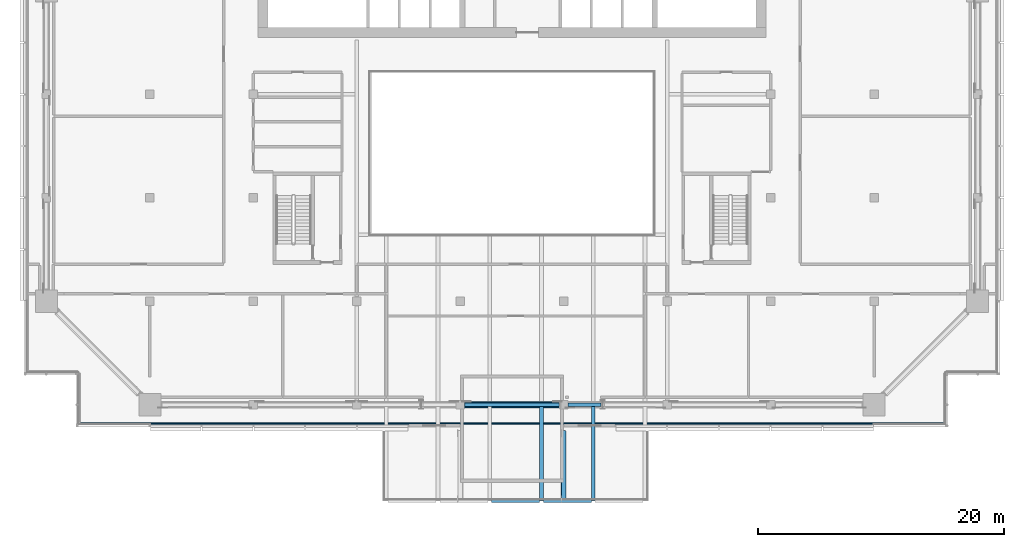
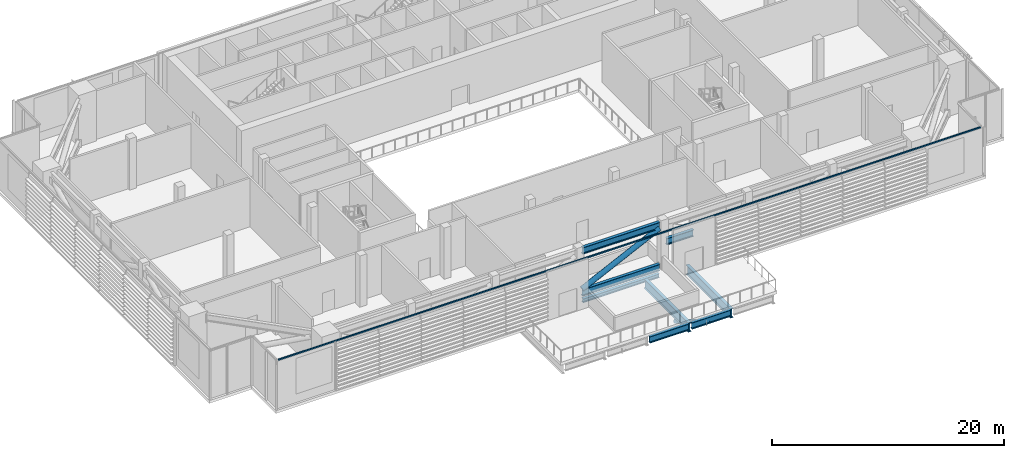
# One storey, part 4 of 29: 6 members, 5 beams, 1 element without a shape of its own.
"""IFC4 building model written with IfcOpenShell, lengths in metres."""

from ifc_helpers import new_model, si_unit, direction, frame, origin, origin_2d, place, context, subcontext, project, spatial, rectangle, hollow_circle, i_section, extrude, material, material_profile, profile_set, type_object, element, aggregate, save


model = new_model("IFC4")

# Units and contexts
model_context = context("Model", 3, precision=1e-05, world=origin(), true_north=direction((0.0, 1.0)))
body_context = subcontext(model_context, "Body", "Model", "MODEL_VIEW")
ifc_project = project(units=[si_unit("LENGTHUNIT", "METRE"), si_unit("AREAUNIT", "SQUARE_METRE"), si_unit("VOLUMEUNIT", "CUBIC_METRE"), si_unit("PLANEANGLEUNIT", "RADIAN"), si_unit("MASSUNIT", "GRAM", prefix="KILO")], contexts=[model_context])

# Site, building, storey
site_placement = place(None, origin())
site = spatial("IfcSite", under=ifc_project, at=site_placement, CompositionType="ELEMENT")
building_placement = place(site_placement, origin())
building = spatial("IfcBuilding", under=site, at=building_placement, Name="Saffron Gate Tower", CompositionType="ELEMENT")
storey_placement = place(building_placement, frame((0.0, 0.0, 142.050048828125)))
storey = spatial("IfcBuildingStorey", under=building, at=storey_placement, Name="L34", CompositionType="ELEMENT", Elevation=142.050048828125)

# Beams
ifc_material_1 = material(Name="Structural steel S355", Category="steel")
ifc_material_profile_1 = material_profile(ifc_material_1, i_section(OverallWidth=0.300048828125, OverallDepth=0.68994140625, WebThickness=0.014404296875, FlangeThickness=0.027099609375, FilletRadius=0.027099609375, at=origin_2d()))
ifc_profile_set_1 = profile_set([ifc_material_profile_1], Name="Structural steel S355")
beam_type_1 = type_object("IfcBeamType", Name="B17 HEA 700", PredefinedType="BEAM", material=ifc_profile_set_1)
for number, where, z_axis, x_axis, name in (
    (1, (85.949951171875, 24.0, -0.64501953125), (1.0, 0.0, 0.0), (0.0, 1.0, 0.0), "B17 POOL EDGE BEAM"),
    (2, (90.14990234375, 24.0, -0.64501953125), (1.0, 0.0, 0.0), (0.0, 1.0, 0.0), "B17 POOL EDGE BEAM"),
):
    element("IfcBeam", number, at=place(storey_placement, frame(where, z_axis=z_axis, x_axis=x_axis)), inside=storey, type_object=beam_type_1, Name=name, PredefinedType="BEAM", context=body_context, shape_type="SweptSolid", body=[
        extrude(i_section(OverallWidth=0.300048828125, OverallDepth=0.68994140625, WebThickness=0.014404296875, FlangeThickness=0.027099609375, FilletRadius=0.027099609375, at=origin_2d()), origin(), (0.0, 0.0, 1.0), 3.900146484375),
    ])
ifc_material_profile_2 = material_profile(ifc_material_1, i_section(OverallWidth=0.300048828125, OverallDepth=0.39990234375, WebThickness=0.013427734375, FlangeThickness=0.02392578125, FilletRadius=0.027099609375, at=origin_2d()))
ifc_profile_set_2 = profile_set([ifc_material_profile_2], Name="Structural steel S355")
beam_type_2 = type_object("IfcBeamType", Name="B3 HEB 400", PredefinedType="SPANDREL", material=ifc_profile_set_2)
beam_placement = place(storey_placement, frame((83.800048828125, 31.800048828125, -0.5), z_axis=(1.0, 0.0, 0.0), x_axis=(0.0, 1.0, 0.0)))
element("IfcBeam", 3, at=beam_placement, inside=storey, type_object=beam_type_2, Name="B3 SPANDREL BEAM", PredefinedType="SPANDREL", context=body_context, shape_type="SweptSolid", body=[
    extrude(i_section(OverallWidth=0.300048828125, OverallDepth=0.39990234375, WebThickness=0.013427734375, FlangeThickness=0.02392578125, FilletRadius=0.027099609375, at=origin_2d()), origin(), (0.0, 0.0, 1.0), 7.599853515625),
])

# Members
ifc_material_profile_3 = material_profile(ifc_material_1, i_section(OverallWidth=0.300048828125, OverallDepth=0.699951171875, WebThickness=0.01708984375, FlangeThickness=0.031982421875, FilletRadius=0.027099609375, at=origin_2d()))
ifc_profile_set_3 = profile_set([ifc_material_profile_3], Name="Structural steel S355")
member_type_1 = type_object("IfcMemberType", Name="BT1 HEB 700", PredefinedType="CHORD", material=ifc_profile_set_3)
for number, where, z_axis, x_axis, name in (
    (4, (83.75, 31.800048828125, 4.77001953125), (1.0, 0.0, 0.0), (0.0, 1.0, 0.0), "BT1 BELT TRUSS TOP CHORD"),
    (5, (83.75, 31.800048828125, 0.349853515625), (1.0, 0.0, 0.0), (0.0, 1.0, 0.0), "BT1 BELT TRUSS BOTTOM CHORD"),
):
    element("IfcMember", number, at=place(storey_placement, frame(where, z_axis=z_axis, x_axis=x_axis)), inside=storey, type_object=member_type_1, Name=name, PredefinedType="CHORD", context=body_context, shape_type="SweptSolid", body=[
        extrude(i_section(OverallWidth=0.300048828125, OverallDepth=0.699951171875, WebThickness=0.01708984375, FlangeThickness=0.031982421875, FilletRadius=0.027099609375, at=origin_2d()), origin(), (0.0, 0.0, 1.0), 7.699951171875),
    ])
member_1_placement = place(storey_placement, frame((92.14990234375, 31.800048828125, 2.800048828125), z_axis=(1.0, 0.0, 0.0), x_axis=(0.0, 1.0, 0.0)))
element("IfcMember", 6, at=member_1_placement, inside=storey, type_object=member_type_1, Name="BT1 BELT TRUSS DOOR LINTEL", PredefinedType="CHORD", context=body_context, shape_type="SweptSolid", body=[
    extrude(i_section(OverallWidth=0.300048828125, OverallDepth=0.699951171875, WebThickness=0.01708984375, FlangeThickness=0.031982421875, FilletRadius=0.027099609375, at=origin_2d()), origin(), (0.0, 0.0, 1.0), 2.670166015625),
])
ifc_material_profile_4 = material_profile(ifc_material_1, hollow_circle(Radius=0.25390625, WallThickness=0.01611328125, at=origin_2d()))
ifc_profile_set_4 = profile_set([ifc_material_profile_4], Name="Structural steel S355")
member_type_2 = type_object("IfcMemberType", Name="BT5 CHS 508x16", PredefinedType="BRACE", material=ifc_profile_set_4)
member_2_placement = place(storey_placement, frame((83.75, 31.800048828125, 0.699951171875), z_axis=(0.900425561848, 0.0, 0.435010123526), x_axis=(0.0, 1.0, 0.0)))
element("IfcMember", 7, at=member_2_placement, inside=storey, type_object=member_type_2, Name="BT5 BELT TRUSS DIAGONAL", PredefinedType="BRACE", context=body_context, shape_type="SweptSolid", body=[
    extrude(hollow_circle(Radius=0.25390625, WallThickness=0.01611328125, at=origin_2d()), origin(), (0.0, 0.0, 1.0), 8.551513671875),
])

# Curtain wall, member
ifc_material_2 = material(Name="Aluminium, bronze anodised", Category="aluminium")
curtain_wall_type = type_object("IfcCurtainWallType", Name="CWS6 curtain wall tall storeys", PredefinedType="NOTDEFINED", material=ifc_material_2)
curtain_wall_placement = place(storey_placement, origin())
curtain_wall = element("IfcCurtainWall", 8, at=curtain_wall_placement, inside=storey, type_object=curtain_wall_type, Name="CWS6 run 1", PredefinedType="NOTDEFINED")
ifc_material_profile_5 = material_profile(ifc_material_2, rectangle(XDim=0.1201171875, YDim=0.1201171875, at=origin_2d()))
ifc_profile_set_5 = profile_set([ifc_material_profile_5], Name="Aluminium, bronze anodised")
member_type_3 = type_object("IfcMemberType", Name="CWS6 head transom", PredefinedType="USERDEFINED", material=ifc_profile_set_5)
member_3_placement = place(storey_placement, frame((52.60791015625, 30.2880859375, 5.06005859375), z_axis=(1.0, 0.0, 0.0), x_axis=(0.0, 1.0, 0.0)))
member_3 = element("IfcMember", 9, at=member_3_placement, type_object=member_type_3, Name="CWS6 head transom", ObjectType="TRANSOM", PredefinedType="USERDEFINED", context=body_context, shape_type="SweptSolid", body=[
    extrude(rectangle(XDim=0.1201171875, YDim=0.1201171875, at=origin_2d()), origin(), (0.0, 0.0, 1.0), 69.984130859375),
])
aggregate(curtain_wall, [member_3])

# Beams
ifc_material_profile_6 = material_profile(ifc_material_1, i_section(OverallWidth=0.300048828125, OverallDepth=0.989990234375, WebThickness=0.0166015625, FlangeThickness=0.031005859375, FilletRadius=0.030029296875, at=origin_2d()))
ifc_profile_set_6 = profile_set([ifc_material_profile_6], Name="Structural steel S355")
beam_type_3 = type_object("IfcBeamType", Name="PB1 HEA 1000 POOL CANTILEVER", PredefinedType="BEAM", material=ifc_profile_set_6)
for number, where, z_axis, x_axis, name in (
    (10, (90.0, 24.0, -0.795166015625), (0.0, 1.0, 0.0), (-1.0, 0.0, 0.0), "PB1 POOL CANTILEVER BEAM"),
    (11, (94.199951171875, 24.0, -0.795166015625), (0.0, 1.0, 0.0), (-1.0, 0.0, 0.0), "PB1 POOL CANTILEVER BEAM"),
):
    element("IfcBeam", number, at=place(storey_placement, frame(where, z_axis=z_axis, x_axis=x_axis)), inside=storey, type_object=beam_type_3, Name=name, PredefinedType="BEAM", context=body_context, shape_type="SweptSolid", body=[
        extrude(i_section(OverallWidth=0.300048828125, OverallDepth=0.989990234375, WebThickness=0.0166015625, FlangeThickness=0.031005859375, FilletRadius=0.030029296875, at=origin_2d()), origin(), (0.0, 0.0, 1.0), 7.695068359375),
    ])

# Member
ifc_material_profile_7 = material_profile(ifc_material_1, hollow_circle(Radius=0.203125, WallThickness=0.01611328125, at=origin_2d()))
ifc_profile_set_7 = profile_set([ifc_material_profile_7], Name="Structural steel S355")
member_type_4 = type_object("IfcMemberType", Name="PX1 CHS 406.4x16", PredefinedType="BRACE", material=ifc_profile_set_7)
member_4_placement = place(storey_placement, frame((91.800048828125, 24.0, -0.7900390625), z_axis=(0.0, 0.85550573035, -0.517793342309), x_axis=(-1.0, 0.0, 0.0)))
element("IfcMember", 12, at=member_4_placement, inside=storey, type_object=member_type_4, Name="PX1 POOL TIP STRUT", PredefinedType="BRACE", context=body_context, shape_type="SweptSolid", body=[
    extrude(hollow_circle(Radius=0.203125, WallThickness=0.01611328125, at=origin_2d()), origin(), (0.0, 0.0, 1.0), 6.546875),
])

save(model, "model.ifc")
